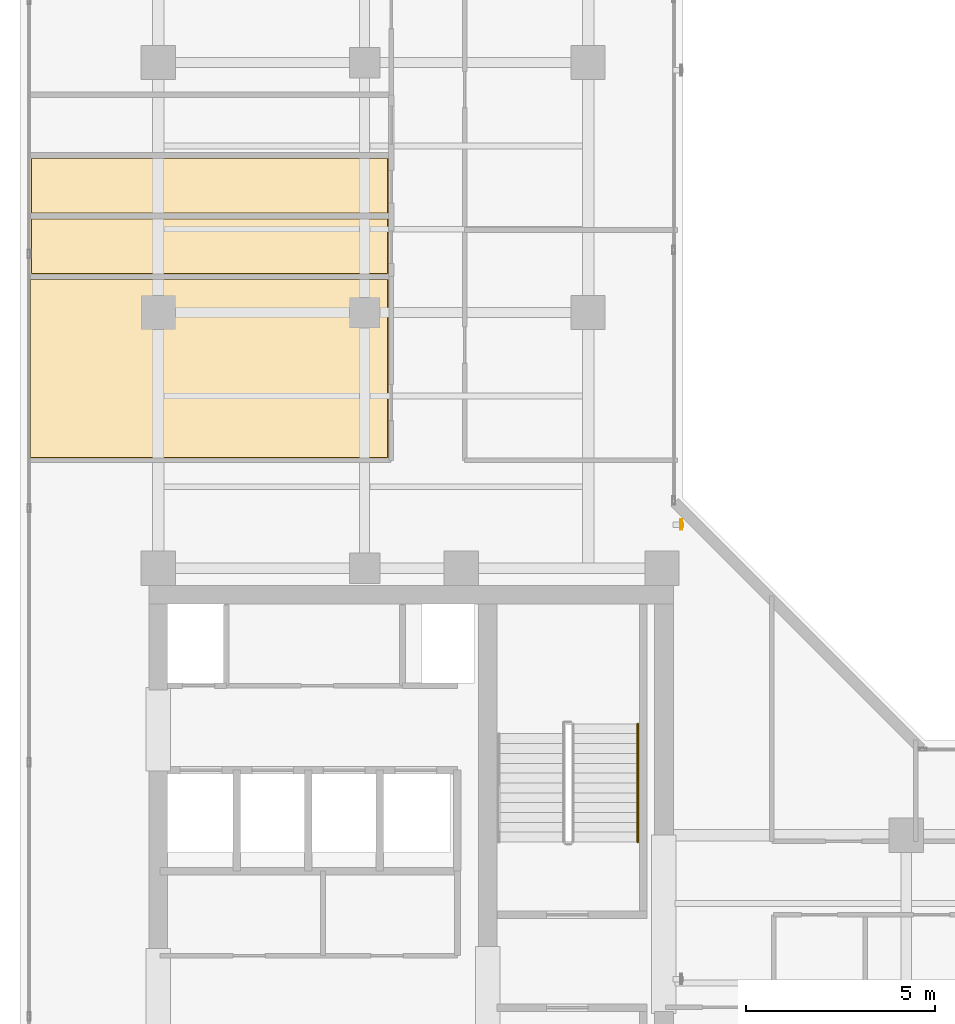
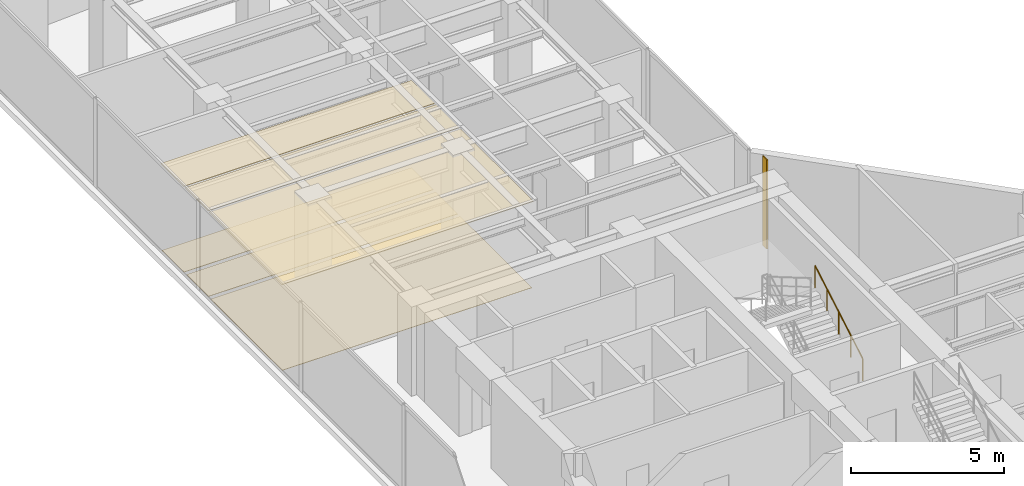
# One storey, part 22 of 23: 6 coverings, 1 railing, 1 shading device.
"""IFC4 building model written with IfcOpenShell, lengths in metres."""

from ifc_helpers import new_model, si_unit, direction, frame, origin, origin_2d, place, context, subcontext, project, spatial, polyline, hollow_rectangle, circle, outline, extrude, material, layer, layer_set, material_profile, profile_set, type_object, element, save


model = new_model("IFC4")

# Units and contexts
model_context = context("Model", 3, precision=1e-05, world=origin(), true_north=direction((0.0, 1.0)))
body_context = subcontext(model_context, "Body", "Model", "MODEL_VIEW")
ifc_project = project(units=[si_unit("LENGTHUNIT", "METRE"), si_unit("AREAUNIT", "SQUARE_METRE"), si_unit("VOLUMEUNIT", "CUBIC_METRE"), si_unit("PLANEANGLEUNIT", "RADIAN"), si_unit("MASSUNIT", "GRAM", prefix="KILO")], contexts=[model_context])

# Site, building, storey
site_placement = place(None, origin())
site = spatial("IfcSite", under=ifc_project, at=site_placement, CompositionType="ELEMENT")
building_placement = place(site_placement, origin())
building = spatial("IfcBuilding", under=site, at=building_placement, Name="Kolvaren Waterfront Exchange", CompositionType="ELEMENT")
storey_placement = place(building_placement, frame((0.0, 0.0, 297.0)))
storey = spatial("IfcBuildingStorey", under=building, at=storey_placement, Name="L76", CompositionType="ELEMENT", Elevation=297.0)

# Coverings
ifc_material_1 = material(Name="Mineral fibre acoustic ceiling tile")
ifc_layer_1 = layer(ifc_material_1, 0.02490234375, Name="Mineral fibre acoustic ceiling tile")
ifc_layer_set_1 = layer_set([ifc_layer_1], Name="Mineral fibre acoustic ceiling tile")
covering_type_1 = type_object("IfcCoveringType", Name="ARC-CEIL-ACOUSTIC-25", PredefinedType="CEILING", material=ifc_layer_set_1)
covering_1_placement = place(storey_placement, frame((0.0, 0.0, 3.445068359375)))
element("IfcCovering", 1, at=covering_1_placement, inside=storey, type_object=covering_type_1, Name="L76 acoustic suspended ceiling 1", PredefinedType="CEILING", context=body_context, shape_type="SweptSolid", body=[
    extrude(outline(polyline([(13.534912109375, 27.344970703125), (13.534912109375, 32.10498046875), (4.044921875, 32.10498046875), (4.044921875, 27.344970703125), (13.534912109375, 27.344970703125)])), origin(), (0.0, 0.0, 1.0), 0.02490234375),
])
covering_2_placement = place(storey_placement, frame((0.0, 0.0, 3.445068359375)))
element("IfcCovering", 2, at=covering_2_placement, inside=storey, type_object=covering_type_1, Name="L76 acoustic suspended ceiling 2", PredefinedType="CEILING", context=body_context, shape_type="SweptSolid", body=[
    extrude(outline(polyline([(13.534912109375, 32.195068359375), (13.534912109375, 33.705078125), (4.06494140625, 33.705078125), (4.06494140625, 32.195068359375), (13.534912109375, 32.195068359375)])), origin(), (0.0, 0.0, 1.0), 0.02490234375),
])
covering_3_placement = place(storey_placement, frame((0.0, 0.0, 3.445068359375)))
element("IfcCovering", 3, at=covering_3_placement, inside=storey, type_object=covering_type_1, Name="L76 acoustic suspended ceiling 3", PredefinedType="CEILING", context=body_context, shape_type="SweptSolid", body=[
    extrude(outline(polyline([(13.534912109375, 33.794921875), (13.534912109375, 35.304931640625), (4.06494140625, 35.304931640625), (4.06494140625, 33.794921875), (13.534912109375, 33.794921875)])), origin(), (0.0, 0.0, 1.0), 0.02490234375),
])

# Shading device
ifc_material_2 = material(Name="Anodised bronze aluminium 6063-T6", Category="aluminium")
ifc_material_profile = material_profile(ifc_material_2, hollow_rectangle(XDim=0.054931640625, YDim=0.280029296875, WallThickness=0.00439453125, at=origin_2d()), Name="BRZ-FIN-280x55x4.5")
ifc_profile_set = profile_set([ifc_material_profile], Name="Anodised bronze aluminium 6063-T6")
shading_device_type = type_object("IfcShadingDeviceType", Name="ARC-FIN-280", PredefinedType="USERDEFINED", material=ifc_profile_set)
shading_device_placement = place(storey_placement, frame((21.265380859375, 25.60009765625, 0.0), z_axis=(0.0, 0.0, 1.0), x_axis=(1.0, 0.0, 0.0)))
element("IfcShadingDevice", 4, at=shading_device_placement, inside=storey, type_object=shading_device_type, Name="L76 anodised bronze solar shading fin FIN-L76-E2", ObjectType="SOLAR FIN", PredefinedType="USERDEFINED", context=body_context, shape_type="SweptSolid", body=[
    extrude(hollow_rectangle(XDim=0.054931640625, YDim=0.280029296875, WallThickness=0.00439453125, at=origin_2d()), origin(), (0.0, 0.0, 1.0), 3.56005859375),
])

# Coverings
ifc_material_3 = material(Name="Slip-resistant porcelain tile")
ifc_layer_2 = layer(ifc_material_3, 0.014892578125, Name="Slip-resistant porcelain tile")
ifc_layer_set_2 = layer_set([ifc_layer_2], Name="Slip-resistant porcelain tile")
covering_type_2 = type_object("IfcCoveringType", Name="ARC-FLR-PORC-15", PredefinedType="FLOORING", material=ifc_layer_set_2)
covering_4_placement = place(storey_placement, origin())
element("IfcCovering", 5, at=covering_4_placement, inside=storey, type_object=covering_type_2, Name="L76 floor finish 1", PredefinedType="FLOORING", context=body_context, shape_type="SweptSolid", body=[
    extrude(outline(polyline([(4.080078125, 32.070068359375), (4.080078125, 27.3798828125), (13.5, 27.3798828125), (13.5, 32.070068359375), (4.080078125, 32.070068359375)])), origin(), (0.0, 0.0, 1.0), 0.014892578125),
])
covering_5_placement = place(storey_placement, origin())
element("IfcCovering", 6, at=covering_5_placement, inside=storey, type_object=covering_type_2, Name="L76 floor finish 2", PredefinedType="FLOORING", context=body_context, shape_type="SweptSolid", body=[
    extrude(outline(polyline([(4.10009765625, 33.669921875), (4.10009765625, 32.22998046875), (13.5, 32.22998046875), (13.5, 33.669921875), (4.10009765625, 33.669921875)])), origin(), (0.0, 0.0, 1.0), 0.014892578125),
])
covering_6_placement = place(storey_placement, origin())
element("IfcCovering", 7, at=covering_6_placement, inside=storey, type_object=covering_type_2, Name="L76 floor finish 3", PredefinedType="FLOORING", context=body_context, shape_type="SweptSolid", body=[
    extrude(outline(polyline([(4.10009765625, 35.27001953125), (4.10009765625, 33.830078125), (13.5, 33.830078125), (13.5, 35.27001953125), (4.10009765625, 35.27001953125)])), origin(), (0.0, 0.0, 1.0), 0.014892578125),
])

# Railing
ifc_material_4 = material(Name="Stainless steel 316", Category="steel")
railing_type = type_object("IfcRailingType", Name="ARC-HANDRAIL-900", PredefinedType="HANDRAIL", material=ifc_material_4)
railing_placement = place(storey_placement, frame((20.110107421875, 17.219970703125, 0.152099609375)))
element("IfcRailing", 8, at=railing_placement, inside=storey, type_object=railing_type, Name="L76 ST2 stair handrail 1", PredefinedType="HANDRAIL", context=body_context, shape_type="SweptSolid", body=[
    extrude(circle(Radius=0.02392578125, at=origin_2d()), frame((0.0, 0.0, 0.8759765625), z_axis=(0.0, 0.86330811405, 0.504677223793), x_axis=(-1.0, 0.0, 0.0)), (0.0, 0.0, 1.0), 3.6142578125),
    extrude(circle(Radius=0.02099609375, at=origin_2d()), origin(), (0.0, 0.0, 1.0), 0.851806640625),
    extrude(circle(Radius=0.02099609375, at=origin_2d()), frame((0.0, 0.780029296875, 0.4560546875)), (0.0, 0.0, 1.0), 0.851806640625),
    extrude(circle(Radius=0.02099609375, at=origin_2d()), frame((0.0, 1.56005859375, 0.912109375)), (0.0, 0.0, 1.0), 0.851806640625),
    extrude(circle(Radius=0.02099609375, at=origin_2d()), frame((0.0, 2.340087890625, 1.367919921875)), (0.0, 0.0, 1.0), 0.851806640625),
    extrude(circle(Radius=0.02099609375, at=origin_2d()), frame((0.0, 3.1201171875, 1.823974609375)), (0.0, 0.0, 1.0), 0.851806640625),
])

save(model, "model.ifc")
